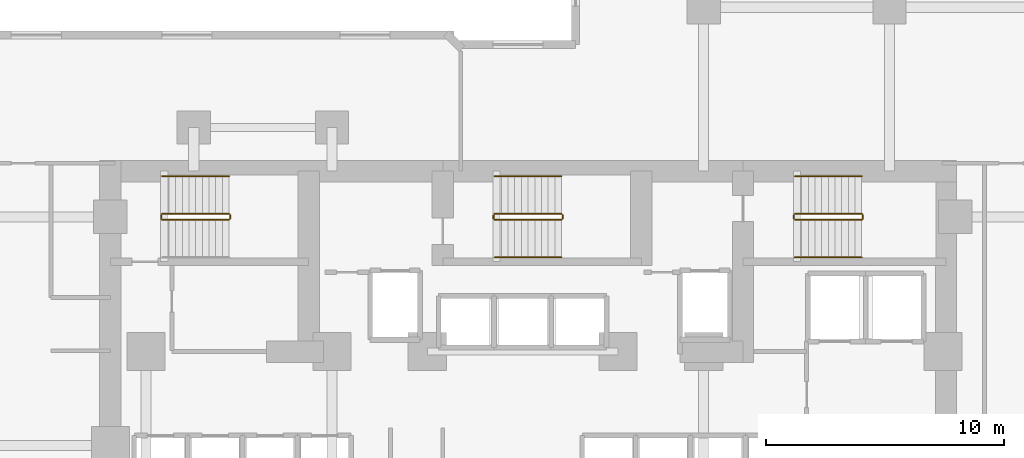
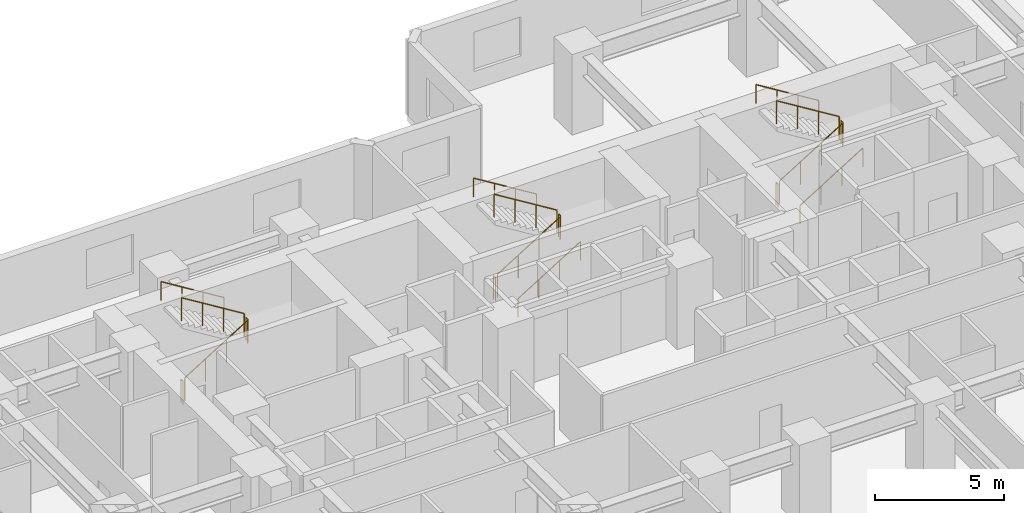
# One storey, part 11 of 11: 17 railings.
"""IFC4 building model written with IfcOpenShell, lengths in metres."""

from ifc_helpers import new_model, si_unit, direction, frame, origin, origin_2d, place, context, subcontext, project, spatial, circle, extrude, material, type_object, element, save


model = new_model("IFC4")

# Units and contexts
model_context = context("Model", 3, precision=1e-05, world=origin(), true_north=direction((0.0, 1.0)))
body_context = subcontext(model_context, "Body", "Model", "MODEL_VIEW")
ifc_project = project(units=[si_unit("LENGTHUNIT", "METRE"), si_unit("AREAUNIT", "SQUARE_METRE"), si_unit("VOLUMEUNIT", "CUBIC_METRE"), si_unit("PLANEANGLEUNIT", "RADIAN"), si_unit("MASSUNIT", "GRAM", prefix="KILO")], contexts=[model_context])

# Site, building, storey
site_placement = place(None, origin())
site = spatial("IfcSite", under=ifc_project, at=site_placement, CompositionType="ELEMENT")
building_placement = place(site_placement, origin())
building = spatial("IfcBuilding", under=site, at=building_placement, Name="Kestravale Grand Hotel", CompositionType="ELEMENT")
storey_placement = place(building_placement, frame((0.0, 0.0, 29.800048828125)))
storey = spatial("IfcBuildingStorey", under=building, at=storey_placement, Name="L06", CompositionType="ELEMENT", Elevation=29.800048828125)

# Railings
ifc_material_1 = material(Name="Painted tubular steel stair well guard", Category="steel")
railing_type_1 = type_object("IfcRailingType", Name="RL-ST-GRD1100", PredefinedType="GUARDRAIL", material=ifc_material_1)
railing_1_placement = place(storey_placement, frame((24.080078125, 38.280029296875, 0.172607421875)))
element("IfcRailing", 1, at=railing_1_placement, inside=storey, type_object=railing_type_1, Name="L06 ST-1 stair guard 1", PredefinedType="GUARDRAIL", context=body_context, shape_type="SweptSolid", body=[
    extrude(circle(Radius=0.02392578125, at=origin_2d()), frame((0.0, 0.0, 1.076171875), z_axis=(0.851069175582, 0.0, 0.525053576669), x_axis=(0.0, 1.0, 0.0)), (0.0, 0.0, 1.0), 3.289794921875),
    extrude(circle(Radius=0.02099609375, at=origin_2d()), origin(), (0.0, 0.0, 1.0), 1.052001953125),
    extrude(circle(Radius=0.02099609375, at=origin_2d()), frame((0.933349609375, 0.0, 0.57568359375)), (0.0, 0.0, 1.0), 1.052001953125),
    extrude(circle(Radius=0.02099609375, at=origin_2d()), frame((1.866455078125, 0.0, 1.151611328125)), (0.0, 0.0, 1.0), 1.052001953125),
    extrude(circle(Radius=0.02099609375, at=origin_2d()), frame((2.7998046875, 0.0, 1.727294921875)), (0.0, 0.0, 1.0), 1.052001953125),
])
railing_2_placement = place(storey_placement, frame((26.929931640625, 38.330078125, 1.89990234375)))
element("IfcRailing", 2, at=railing_2_placement, inside=storey, type_object=railing_type_1, Name="L06 ST-1 stair guard 2", PredefinedType="GUARDRAIL", context=body_context, shape_type="SweptSolid", body=[
    extrude(circle(Radius=0.02392578125, at=origin_2d()), frame((0.0, 0.0, 1.076171875), z_axis=(0.0, 1.0, 0.0), x_axis=(-1.0, 0.0, 0.0)), (0.0, 0.0, 1.0), 0.14990234375),
    extrude(circle(Radius=0.02099609375, at=origin_2d()), origin(), (0.0, 0.0, 1.0), 1.052001953125),
    extrude(circle(Radius=0.02099609375, at=origin_2d()), frame((0.0, 0.14990234375, 0.0)), (0.0, 0.0, 1.0), 1.052001953125),
])
railing_3_placement = place(storey_placement, frame((26.8798828125, 38.530029296875, 2.07275390625)))
element("IfcRailing", 3, at=railing_3_placement, inside=storey, type_object=railing_type_1, Name="L06 ST-1 stair guard 3", PredefinedType="GUARDRAIL", context=body_context, shape_type="SweptSolid", body=[
    extrude(circle(Radius=0.02392578125, at=origin_2d()), frame((0.0, 0.0, 1.076171875), z_axis=(-0.851069175582, 0.0, 0.525053576669), x_axis=(0.0, -1.0, 0.0)), (0.0, 0.0, 1.0), 3.289794921875),
    extrude(circle(Radius=0.02099609375, at=origin_2d()), origin(), (0.0, 0.0, 1.0), 1.052001953125),
    extrude(circle(Radius=0.02099609375, at=origin_2d()), frame((-0.933349609375, 0.0, 0.57568359375)), (0.0, 0.0, 1.0), 1.052001953125),
    extrude(circle(Radius=0.02099609375, at=origin_2d()), frame((-1.866455078125, 0.0, 1.151611328125)), (0.0, 0.0, 1.0), 1.052001953125),
    extrude(circle(Radius=0.02099609375, at=origin_2d()), frame((-2.7998046875, 0.0, 1.727294921875)), (0.0, 0.0, 1.0), 1.052001953125),
])
railing_4_placement = place(storey_placement, frame((24.030029296875, 38.330078125, 0.0)))
element("IfcRailing", 4, at=railing_4_placement, inside=storey, type_object=railing_type_1, Name="L06 ST-1 stair guard 4", PredefinedType="GUARDRAIL", context=body_context, shape_type="SweptSolid", body=[
    extrude(circle(Radius=0.02392578125, at=origin_2d()), frame((0.0, 0.0, 1.076171875), z_axis=(0.0, 1.0, 0.0), x_axis=(-1.0, 0.0, 0.0)), (0.0, 0.0, 1.0), 0.14990234375),
    extrude(circle(Radius=0.02099609375, at=origin_2d()), origin(), (0.0, 0.0, 1.0), 1.052001953125),
    extrude(circle(Radius=0.02099609375, at=origin_2d()), frame((0.0, 0.14990234375, 0.0)), (0.0, 0.0, 1.0), 1.052001953125),
])
railing_5_placement = place(storey_placement, frame((38.030029296875, 38.280029296875, 0.172607421875)))
element("IfcRailing", 5, at=railing_5_placement, inside=storey, type_object=railing_type_1, Name="L06 ST-2 stair guard 1", PredefinedType="GUARDRAIL", context=body_context, shape_type="SweptSolid", body=[
    extrude(circle(Radius=0.02392578125, at=origin_2d()), frame((0.0, 0.0, 1.076171875), z_axis=(0.851089632645, 0.0, 0.525020415988), x_axis=(0.0, 1.0, 0.0)), (0.0, 0.0, 1.0), 3.2900390625),
    extrude(circle(Radius=0.02099609375, at=origin_2d()), origin(), (0.0, 0.0, 1.0), 1.052001953125),
    extrude(circle(Radius=0.02099609375, at=origin_2d()), frame((0.933349609375, 0.0, 0.57568359375)), (0.0, 0.0, 1.0), 1.052001953125),
    extrude(circle(Radius=0.02099609375, at=origin_2d()), frame((1.86669921875, 0.0, 1.151611328125)), (0.0, 0.0, 1.0), 1.052001953125),
    extrude(circle(Radius=0.02099609375, at=origin_2d()), frame((2.800048828125, 0.0, 1.727294921875)), (0.0, 0.0, 1.0), 1.052001953125),
])
railing_6_placement = place(storey_placement, frame((40.8798828125, 38.330078125, 1.89990234375)))
element("IfcRailing", 6, at=railing_6_placement, inside=storey, type_object=railing_type_1, Name="L06 ST-2 stair guard 2", PredefinedType="GUARDRAIL", context=body_context, shape_type="SweptSolid", body=[
    extrude(circle(Radius=0.02392578125, at=origin_2d()), frame((0.0, 0.0, 1.076171875), z_axis=(0.0, 1.0, 0.0), x_axis=(-1.0, 0.0, 0.0)), (0.0, 0.0, 1.0), 0.14990234375),
    extrude(circle(Radius=0.02099609375, at=origin_2d()), origin(), (0.0, 0.0, 1.0), 1.052001953125),
    extrude(circle(Radius=0.02099609375, at=origin_2d()), frame((0.0, 0.14990234375, 0.0)), (0.0, 0.0, 1.0), 1.052001953125),
])
railing_7_placement = place(storey_placement, frame((40.830078125, 38.530029296875, 2.07275390625)))
element("IfcRailing", 7, at=railing_7_placement, inside=storey, type_object=railing_type_1, Name="L06 ST-2 stair guard 3", PredefinedType="GUARDRAIL", context=body_context, shape_type="SweptSolid", body=[
    extrude(circle(Radius=0.02392578125, at=origin_2d()), frame((0.0, 0.0, 1.076171875), z_axis=(-0.851089632645, 0.0, 0.525020415988), x_axis=(0.0, -1.0, 0.0)), (0.0, 0.0, 1.0), 3.2900390625),
    extrude(circle(Radius=0.02099609375, at=origin_2d()), origin(), (0.0, 0.0, 1.0), 1.052001953125),
    extrude(circle(Radius=0.02099609375, at=origin_2d()), frame((-0.933349609375, 0.0, 0.57568359375)), (0.0, 0.0, 1.0), 1.052001953125),
    extrude(circle(Radius=0.02099609375, at=origin_2d()), frame((-1.86669921875, 0.0, 1.151611328125)), (0.0, 0.0, 1.0), 1.052001953125),
    extrude(circle(Radius=0.02099609375, at=origin_2d()), frame((-2.800048828125, 0.0, 1.727294921875)), (0.0, 0.0, 1.0), 1.052001953125),
])
railing_8_placement = place(storey_placement, frame((37.97998046875, 38.330078125, 0.0)))
element("IfcRailing", 8, at=railing_8_placement, inside=storey, type_object=railing_type_1, Name="L06 ST-2 stair guard 4", PredefinedType="GUARDRAIL", context=body_context, shape_type="SweptSolid", body=[
    extrude(circle(Radius=0.02392578125, at=origin_2d()), frame((0.0, 0.0, 1.076171875), z_axis=(0.0, 1.0, 0.0), x_axis=(-1.0, 0.0, 0.0)), (0.0, 0.0, 1.0), 0.14990234375),
    extrude(circle(Radius=0.02099609375, at=origin_2d()), origin(), (0.0, 0.0, 1.0), 1.052001953125),
    extrude(circle(Radius=0.02099609375, at=origin_2d()), frame((0.0, 0.14990234375, 0.0)), (0.0, 0.0, 1.0), 1.052001953125),
])
railing_9_placement = place(storey_placement, frame((50.6298828125, 38.280029296875, 0.172607421875)))
element("IfcRailing", 9, at=railing_9_placement, inside=storey, type_object=railing_type_1, Name="L06 ST-3 stair guard 1", PredefinedType="GUARDRAIL", context=body_context, shape_type="SweptSolid", body=[
    extrude(circle(Radius=0.02392578125, at=origin_2d()), frame((0.0, 0.0, 1.076171875), z_axis=(0.851089632645, 0.0, 0.525020415988), x_axis=(0.0, 1.0, 0.0)), (0.0, 0.0, 1.0), 3.2900390625),
    extrude(circle(Radius=0.02099609375, at=origin_2d()), origin(), (0.0, 0.0, 1.0), 1.052001953125),
    extrude(circle(Radius=0.02099609375, at=origin_2d()), frame((0.933349609375, 0.0, 0.57568359375)), (0.0, 0.0, 1.0), 1.052001953125),
    extrude(circle(Radius=0.02099609375, at=origin_2d()), frame((1.86669921875, 0.0, 1.151611328125)), (0.0, 0.0, 1.0), 1.052001953125),
    extrude(circle(Radius=0.02099609375, at=origin_2d()), frame((2.800048828125, 0.0, 1.727294921875)), (0.0, 0.0, 1.0), 1.052001953125),
])
railing_10_placement = place(storey_placement, frame((53.47998046875, 38.330078125, 1.89990234375)))
element("IfcRailing", 10, at=railing_10_placement, inside=storey, type_object=railing_type_1, Name="L06 ST-3 stair guard 2", PredefinedType="GUARDRAIL", context=body_context, shape_type="SweptSolid", body=[
    extrude(circle(Radius=0.02392578125, at=origin_2d()), frame((0.0, 0.0, 1.076171875), z_axis=(0.0, 1.0, 0.0), x_axis=(-1.0, 0.0, 0.0)), (0.0, 0.0, 1.0), 0.14990234375),
    extrude(circle(Radius=0.02099609375, at=origin_2d()), origin(), (0.0, 0.0, 1.0), 1.052001953125),
    extrude(circle(Radius=0.02099609375, at=origin_2d()), frame((0.0, 0.14990234375, 0.0)), (0.0, 0.0, 1.0), 1.052001953125),
])
railing_11_placement = place(storey_placement, frame((53.429931640625, 38.530029296875, 2.07275390625)))
element("IfcRailing", 11, at=railing_11_placement, inside=storey, type_object=railing_type_1, Name="L06 ST-3 stair guard 3", PredefinedType="GUARDRAIL", context=body_context, shape_type="SweptSolid", body=[
    extrude(circle(Radius=0.02392578125, at=origin_2d()), frame((0.0, 0.0, 1.076171875), z_axis=(-0.851089632645, 0.0, 0.525020415988), x_axis=(0.0, -1.0, 0.0)), (0.0, 0.0, 1.0), 3.2900390625),
    extrude(circle(Radius=0.02099609375, at=origin_2d()), origin(), (0.0, 0.0, 1.0), 1.052001953125),
    extrude(circle(Radius=0.02099609375, at=origin_2d()), frame((-0.933349609375, 0.0, 0.57568359375)), (0.0, 0.0, 1.0), 1.052001953125),
    extrude(circle(Radius=0.02099609375, at=origin_2d()), frame((-1.86669921875, 0.0, 1.151611328125)), (0.0, 0.0, 1.0), 1.052001953125),
    extrude(circle(Radius=0.02099609375, at=origin_2d()), frame((-2.800048828125, 0.0, 1.727294921875)), (0.0, 0.0, 1.0), 1.052001953125),
])
railing_12_placement = place(storey_placement, frame((50.580078125, 38.330078125, 0.0)))
element("IfcRailing", 12, at=railing_12_placement, inside=storey, type_object=railing_type_1, Name="L06 ST-3 stair guard 4", PredefinedType="GUARDRAIL", context=body_context, shape_type="SweptSolid", body=[
    extrude(circle(Radius=0.02392578125, at=origin_2d()), frame((0.0, 0.0, 1.076171875), z_axis=(0.0, 1.0, 0.0), x_axis=(-1.0, 0.0, 0.0)), (0.0, 0.0, 1.0), 0.14990234375),
    extrude(circle(Radius=0.02099609375, at=origin_2d()), origin(), (0.0, 0.0, 1.0), 1.052001953125),
    extrude(circle(Radius=0.02099609375, at=origin_2d()), frame((0.0, 0.14990234375, 0.0)), (0.0, 0.0, 1.0), 1.052001953125),
])
ifc_material_2 = material(Name="Brushed stainless steel wall handrail", Category="steel")
railing_type_2 = type_object("IfcRailingType", Name="RL-ST-HND900", PredefinedType="HANDRAIL", material=ifc_material_2)
railing_13_placement = place(storey_placement, frame((26.8798828125, 40.110107421875, 2.07275390625)))
element("IfcRailing", 13, at=railing_13_placement, inside=storey, type_object=railing_type_2, Name="L06 ST-1 stair handrail 2", PredefinedType="HANDRAIL", context=body_context, shape_type="SweptSolid", body=[
    extrude(circle(Radius=0.02392578125, at=origin_2d()), frame((0.0, 0.0, 0.8759765625), z_axis=(-0.851069175582, 0.0, 0.525053576669), x_axis=(0.0, -1.0, 0.0)), (0.0, 0.0, 1.0), 3.289794921875),
    extrude(circle(Radius=0.02099609375, at=origin_2d()), origin(), (0.0, 0.0, 1.0), 0.851806640625),
    extrude(circle(Radius=0.02099609375, at=origin_2d()), frame((-0.933349609375, 0.0, 0.57568359375)), (0.0, 0.0, 1.0), 0.851806640625),
    extrude(circle(Radius=0.02099609375, at=origin_2d()), frame((-1.866455078125, 0.0, 1.151611328125)), (0.0, 0.0, 1.0), 0.851806640625),
    extrude(circle(Radius=0.02099609375, at=origin_2d()), frame((-2.7998046875, 0.0, 1.727294921875)), (0.0, 0.0, 1.0), 0.851806640625),
])
railing_14_placement = place(storey_placement, frame((38.030029296875, 36.699951171875, 0.172607421875)))
element("IfcRailing", 14, at=railing_14_placement, inside=storey, type_object=railing_type_2, Name="L06 ST-2 stair handrail 1", PredefinedType="HANDRAIL", context=body_context, shape_type="SweptSolid", body=[
    extrude(circle(Radius=0.02392578125, at=origin_2d()), frame((0.0, 0.0, 0.8759765625), z_axis=(0.851089632645, 0.0, 0.525020415988), x_axis=(0.0, 1.0, 0.0)), (0.0, 0.0, 1.0), 3.2900390625),
    extrude(circle(Radius=0.02099609375, at=origin_2d()), origin(), (0.0, 0.0, 1.0), 0.851806640625),
    extrude(circle(Radius=0.02099609375, at=origin_2d()), frame((0.933349609375, 0.0, 0.57568359375)), (0.0, 0.0, 1.0), 0.851806640625),
    extrude(circle(Radius=0.02099609375, at=origin_2d()), frame((1.86669921875, 0.0, 1.151611328125)), (0.0, 0.0, 1.0), 0.851806640625),
    extrude(circle(Radius=0.02099609375, at=origin_2d()), frame((2.800048828125, 0.0, 1.727294921875)), (0.0, 0.0, 1.0), 0.851806640625),
])
railing_15_placement = place(storey_placement, frame((40.830078125, 40.110107421875, 2.07275390625)))
element("IfcRailing", 15, at=railing_15_placement, inside=storey, type_object=railing_type_2, Name="L06 ST-2 stair handrail 2", PredefinedType="HANDRAIL", context=body_context, shape_type="SweptSolid", body=[
    extrude(circle(Radius=0.02392578125, at=origin_2d()), frame((0.0, 0.0, 0.8759765625), z_axis=(-0.851089632645, 0.0, 0.525020415988), x_axis=(0.0, -1.0, 0.0)), (0.0, 0.0, 1.0), 3.2900390625),
    extrude(circle(Radius=0.02099609375, at=origin_2d()), origin(), (0.0, 0.0, 1.0), 0.851806640625),
    extrude(circle(Radius=0.02099609375, at=origin_2d()), frame((-0.933349609375, 0.0, 0.57568359375)), (0.0, 0.0, 1.0), 0.851806640625),
    extrude(circle(Radius=0.02099609375, at=origin_2d()), frame((-1.86669921875, 0.0, 1.151611328125)), (0.0, 0.0, 1.0), 0.851806640625),
    extrude(circle(Radius=0.02099609375, at=origin_2d()), frame((-2.800048828125, 0.0, 1.727294921875)), (0.0, 0.0, 1.0), 0.851806640625),
])
railing_16_placement = place(storey_placement, frame((50.6298828125, 36.699951171875, 0.172607421875)))
element("IfcRailing", 16, at=railing_16_placement, inside=storey, type_object=railing_type_2, Name="L06 ST-3 stair handrail 1", PredefinedType="HANDRAIL", context=body_context, shape_type="SweptSolid", body=[
    extrude(circle(Radius=0.02392578125, at=origin_2d()), frame((0.0, 0.0, 0.8759765625), z_axis=(0.851089632645, 0.0, 0.525020415988), x_axis=(0.0, 1.0, 0.0)), (0.0, 0.0, 1.0), 3.2900390625),
    extrude(circle(Radius=0.02099609375, at=origin_2d()), origin(), (0.0, 0.0, 1.0), 0.851806640625),
    extrude(circle(Radius=0.02099609375, at=origin_2d()), frame((0.933349609375, 0.0, 0.57568359375)), (0.0, 0.0, 1.0), 0.851806640625),
    extrude(circle(Radius=0.02099609375, at=origin_2d()), frame((1.86669921875, 0.0, 1.151611328125)), (0.0, 0.0, 1.0), 0.851806640625),
    extrude(circle(Radius=0.02099609375, at=origin_2d()), frame((2.800048828125, 0.0, 1.727294921875)), (0.0, 0.0, 1.0), 0.851806640625),
])
railing_17_placement = place(storey_placement, frame((53.429931640625, 40.110107421875, 2.07275390625)))
element("IfcRailing", 17, at=railing_17_placement, inside=storey, type_object=railing_type_2, Name="L06 ST-3 stair handrail 2", PredefinedType="HANDRAIL", context=body_context, shape_type="SweptSolid", body=[
    extrude(circle(Radius=0.02392578125, at=origin_2d()), frame((0.0, 0.0, 0.8759765625), z_axis=(-0.851089632645, 0.0, 0.525020415988), x_axis=(0.0, -1.0, 0.0)), (0.0, 0.0, 1.0), 3.2900390625),
    extrude(circle(Radius=0.02099609375, at=origin_2d()), origin(), (0.0, 0.0, 1.0), 0.851806640625),
    extrude(circle(Radius=0.02099609375, at=origin_2d()), frame((-0.933349609375, 0.0, 0.57568359375)), (0.0, 0.0, 1.0), 0.851806640625),
    extrude(circle(Radius=0.02099609375, at=origin_2d()), frame((-1.86669921875, 0.0, 1.151611328125)), (0.0, 0.0, 1.0), 0.851806640625),
    extrude(circle(Radius=0.02099609375, at=origin_2d()), frame((-2.800048828125, 0.0, 1.727294921875)), (0.0, 0.0, 1.0), 0.851806640625),
])

save(model, "model.ifc")
